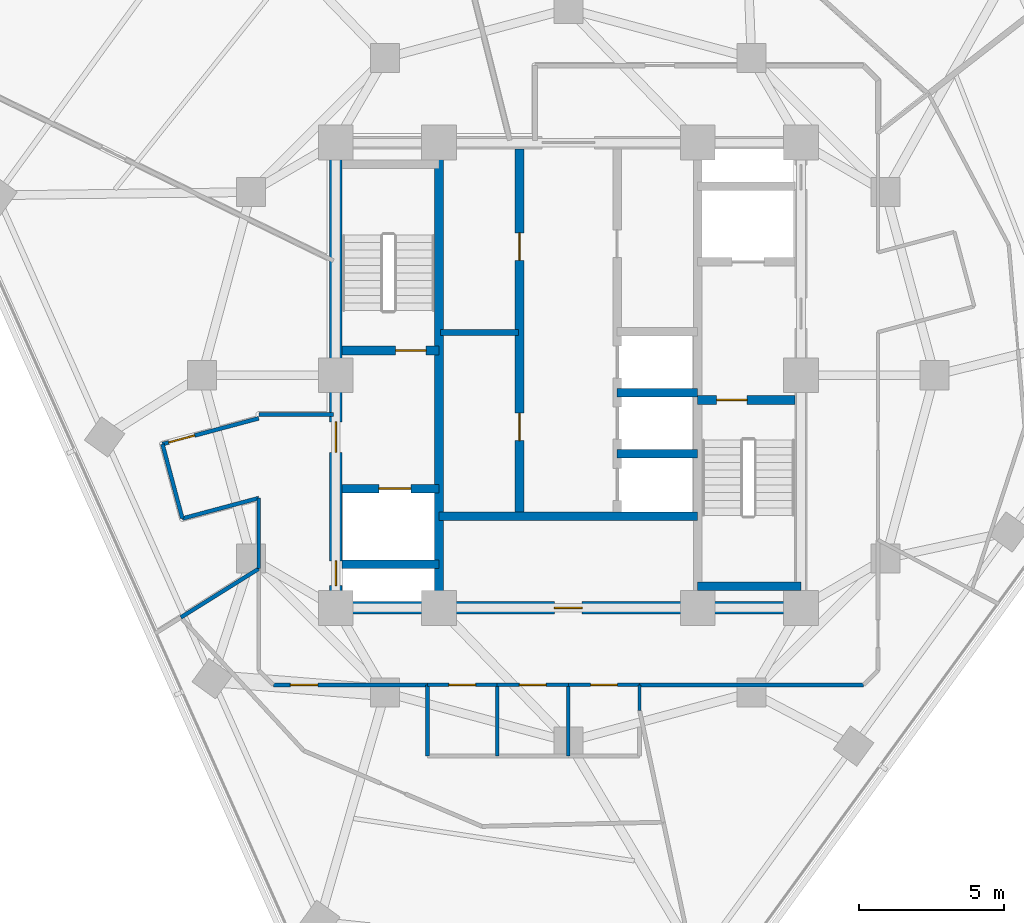
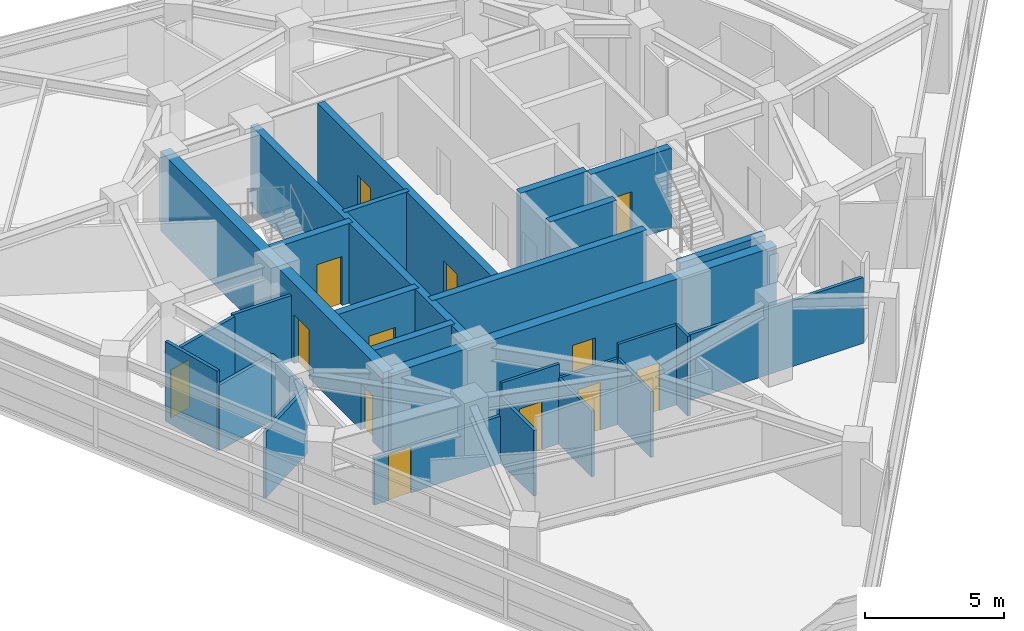
# One storey, part 8 of 14: 28 walls, 13 doors, 13 openings.
"""IFC4 building model written with IfcOpenShell, lengths in metres."""

import ifcopenshell
import ifcopenshell.guid

model = None  # the IFC model being written
_history = None  # IfcOwnerHistory: only IFC2X3 demands one
_inside = {}  # id of a spatial element -> (the spatial element, [elements in it])
_under = {}  # id of a project, library or spatial element -> (it, [spatial elements below it])
_declared = {}  # id of a project -> (the project, [libraries it declares])
_typed = {}  # id of a type object -> (the type object, [elements of that type])
_made_of = {}  # id of a material, layer set ... -> (it, [elements and type objects made of it])


def new_model(schema):
    """Start an empty IFC model of exactly this schema.

    Asked for "IFC4X3", IfcOpenShell would pick the latest addendum, in which some entities
    have other attributes; the version numbers below select the first issue.
    IFC2X3 requires an IfcOwnerHistory on every rooted entity: one is made here for all.
    """
    global model, _history
    if schema == "IFC4X3":
        model = ifcopenshell.file(schema_version=(4, 3, 0, 0))
    else:
        model = ifcopenshell.file(schema=schema)
    _inside.clear()
    _under.clear()
    _declared.clear()
    _typed.clear()
    _made_of.clear()
    _history = None
    if model.schema == "IFC2X3":
        org = make("IfcOrganization", Name="unknown")
        user = make(
            "IfcPersonAndOrganization",
            ThePerson=make("IfcPerson", FamilyName="unknown"),
            TheOrganization=org,
        )
        app = make(
            "IfcApplication",
            ApplicationDeveloper=org,
            Version="unknown",
            ApplicationFullName="unknown",
            ApplicationIdentifier="unknown",
        )
        _history = make(
            "IfcOwnerHistory",
            OwningUser=user,
            OwningApplication=app,
            ChangeAction="ADDED",
            CreationDate=0,
        )
    return model


def make(cls, **values):
    """One entity of the class cls with the attributes given. An attribute that is None is left unset."""
    return model.create_entity(
        cls, **{name: value for name, value in values.items() if value is not None}
    )


def rooted(cls, **values):
    """An entity with a GlobalId (a new one), such as an element, a storey or a relation."""
    return make(cls, GlobalId=ifcopenshell.guid.new(), OwnerHistory=_history, **values)


def si_unit(unit_type, name, prefix=None):
    """IfcSIUnit, for example si_unit("LENGTHUNIT", "METRE", prefix="MILLI")."""
    return make("IfcSIUnit", UnitType=unit_type, Prefix=prefix, Name=name)


def assignment(units):
    """IfcUnitAssignment: the units of a project."""
    return None if units is None else make("IfcUnitAssignment", Units=units)


def point(xyz):
    """IfcCartesianPoint."""
    return None if xyz is None else make("IfcCartesianPoint", Coordinates=xyz)


def direction(xyz):
    """IfcDirection."""
    return None if xyz is None else make("IfcDirection", DirectionRatios=xyz)


def frame(location, z_axis=None, x_axis=None):
    """IfcAxis2Placement3D, a coordinate frame: its origin and axes. An axis left out is left unset."""
    return make(
        "IfcAxis2Placement3D",
        Location=point(location),
        Axis=direction(z_axis),
        RefDirection=direction(x_axis),
    )


def frame_2d(location, x_axis=None):
    """IfcAxis2Placement2D, a coordinate frame in the plane: its origin and x axis."""
    return make(
        "IfcAxis2Placement2D", Location=point(location), RefDirection=direction(x_axis)
    )


def origin():
    """The frame at (0, 0, 0) with its axes left unset."""
    return frame((0.0, 0.0, 0.0))


def place(relative_to, where):
    """IfcLocalPlacement: puts the frame where relative to a parent placement (None: the world)."""
    return make(
        "IfcLocalPlacement", PlacementRelTo=relative_to, RelativePlacement=where
    )


def context(
    kind, dimensions, precision=None, world=None, true_north=None, identifier=None
):
    """IfcGeometricRepresentationContext, for example the 3D "Model" context."""
    return make(
        "IfcGeometricRepresentationContext",
        ContextIdentifier=identifier,
        ContextType=kind,
        CoordinateSpaceDimension=dimensions,
        Precision=precision,
        WorldCoordinateSystem=world,
        TrueNorth=true_north,
    )


def subcontext(parent, identifier, kind, view, scale=None):
    """IfcGeometricRepresentationSubContext, for example "Body" below "Model"."""
    return make(
        "IfcGeometricRepresentationSubContext",
        ContextIdentifier=identifier,
        ContextType=kind,
        ParentContext=parent,
        TargetScale=scale,
        TargetView=view,
    )


def project(units=None, contexts=None):
    """IfcProject with its units and contexts."""
    return rooted(
        "IfcProject",
        Name="project",
        RepresentationContexts=contexts,
        UnitsInContext=assignment(units),
    )


def spatial(cls, under=None, at=None, **own):
    """A site, building, storey or space (cls), placed at a placement, below another one or the project."""
    s = rooted(cls, ObjectPlacement=at, **own)
    if under is not None:
        _under.setdefault(under.id(), (under, []))[1].append(s)
    return s


def profile(cls, at=None, kind="AREA", **sizes):
    """A parametric profile (cls). Its sizes go by their IFC names, for example OverallWidth=200.0."""
    return make(cls, ProfileType=kind, Position=at, **sizes)


def rectangle(**sizes):
    """IfcRectangleProfileDef."""
    return profile("IfcRectangleProfileDef", **sizes)


def extrude(swept, where, along, depth):
    """IfcExtrudedAreaSolid: the profile swept, set in the frame where, extruded along a direction by depth."""
    return make(
        "IfcExtrudedAreaSolid",
        SweptArea=swept,
        Position=where,
        ExtrudedDirection=direction(along),
        Depth=depth,
    )


def shape(context_of_items, identifier, shape_type, items):
    """IfcShapeRepresentation: the items that make up one representation, for example the "Body"."""
    return make(
        "IfcShapeRepresentation",
        ContextOfItems=context_of_items,
        RepresentationIdentifier=identifier,
        RepresentationType=shape_type,
        Items=items,
    )


def material(Name=None, Category=None):
    """IfcMaterial."""
    return make("IfcMaterial", Name=Name, Category=Category)


def layer(
    of_material, thickness, ventilated=None, Name=None, Category=None, Priority=None
):
    """IfcMaterialLayer: one layer of a wall or slab, of a material (None: an air gap)."""
    return make(
        "IfcMaterialLayer",
        Material=of_material,
        LayerThickness=thickness,
        IsVentilated=ventilated,
        Name=Name,
        Category=Category,
        Priority=Priority,
    )


def layer_set(layers, Name=None):
    """IfcMaterialLayerSet."""
    return make("IfcMaterialLayerSet", MaterialLayers=layers, LayerSetName=Name)


def made_of(thing, what):
    """Note that an element or type object is made of a material, layer set ...; save() writes the relation."""
    if what is not None:
        _made_of.setdefault(what.id(), (what, []))[1].append(thing)
    return thing


def type_object(cls, material=None, **own):
    """A type object (cls), such as IfcWallType, which elements share."""
    return made_of(rooted(cls, **own), material)


def element(
    cls,
    number,
    at=None,
    inside=None,
    cuts=None,
    type_object=None,
    material=None,
    context=None,
    identifier="Body",
    shape_type=None,
    held_by="IfcProductDefinitionShape",
    body=None,
    shapes=None,
    **own,
):
    """One element of the class cls, such as IfcWall. Its Tag is "e" and its number.

    at: its placement. inside: the storey or other place that contains it. cuts: it is an
    opening in that element (IfcRelVoidsElement). A single representation is given by context,
    identifier, shape_type and body (its items); several are given by shapes. held_by: the class
    of the entity that holds the representations. save() writes the other relations.
    """
    e = rooted(cls, Tag="e%d" % number, ObjectPlacement=at, **own)
    if body is not None:
        shapes = [shape(context, identifier, shape_type, body)]
    if shapes is not None:
        e.Representation = make(held_by, Representations=shapes)
    if inside is not None:
        _inside.setdefault(inside.id(), (inside, []))[1].append(e)
    if cuts is not None:
        rooted(
            "IfcRelVoidsElement", RelatingBuildingElement=cuts, RelatedOpeningElement=e
        )
    if type_object is not None:
        _typed.setdefault(type_object.id(), (type_object, []))[1].append(e)
    return made_of(e, material)


def fill(opening, filler):
    """IfcRelFillsElement: the door or window that sits in an opening."""
    return rooted(
        "IfcRelFillsElement",
        RelatingOpeningElement=opening,
        RelatedBuildingElement=filler,
    )


def aggregate(whole, parts):
    """IfcRelAggregates: a whole, such as a stair, and the parts it consists of."""
    return rooted("IfcRelAggregates", RelatingObject=whole, RelatedObjects=parts)


def save(model, path):
    """Write the relations noted so far, then the file.

    IfcRelAggregates (storeys below a building ...), IfcRelContainedInSpatialStructure (elements
    in a storey), IfcRelDefinesByType, IfcRelAssociatesMaterial and IfcRelDeclares: one each for
    every whole, place, type object, material and project.
    """
    for whole, parts in _under.values():
        aggregate(whole, parts)
    for where, things in _inside.values():
        rooted(
            "IfcRelContainedInSpatialStructure",
            RelatedElements=things,
            RelatingStructure=where,
        )
    for kind, things in _typed.values():
        rooted("IfcRelDefinesByType", RelatedObjects=things, RelatingType=kind)
    for what, things in _made_of.values():
        rooted("IfcRelAssociatesMaterial", RelatedObjects=things, RelatingMaterial=what)
    for by, libraries in _declared.values():
        rooted("IfcRelDeclares", RelatingContext=by, RelatedDefinitions=libraries)
    model.write(path)


model = new_model("IFC4")

# Units and contexts
model_context = context("Model", 3, precision=1e-05, world=origin(), true_north=direction((0.0, 1.0)))
body_context = subcontext(model_context, "Body", "Model", "MODEL_VIEW")
ifc_project = project(units=[si_unit("LENGTHUNIT", "METRE"), si_unit("AREAUNIT", "SQUARE_METRE"), si_unit("VOLUMEUNIT", "CUBIC_METRE"), si_unit("PLANEANGLEUNIT", "RADIAN"), si_unit("MASSUNIT", "GRAM", prefix="KILO")], contexts=[model_context])

# Site, building, storey
site_placement = place(None, origin())
site = spatial("IfcSite", under=ifc_project, at=site_placement, CompositionType="ELEMENT")
building_placement = place(site_placement, origin())
building = spatial("IfcBuilding", under=site, at=building_placement, Name="Terralouvre Media Tower", CompositionType="ELEMENT")
storey_placement = place(building_placement, frame((0.0, 0.0, 222.60009765625)))
storey = spatial("IfcBuildingStorey", under=building, at=storey_placement, Name="L57", CompositionType="ELEMENT", Elevation=222.60009765625)

# Wall
ifc_material_1 = material(Name="Concrete C50/60", Category="concrete")
ifc_layer_1 = layer(ifc_material_1, 0.300048828125, Name="Core Internal Shaft Wall CW-300")
ifc_layer_set_1 = layer_set([ifc_layer_1], Name="Concrete C50/60")
wall_type_1 = type_object("IfcWallType", Name="Core Internal Shaft Wall CW-300", PredefinedType="SHEAR", material=ifc_layer_set_1)
wall_1_placement = place(storey_placement, frame((-4.449951171875, -7.7900390625, 0.0), z_axis=(0.0, 0.0, 1.0), x_axis=(0.0, 1.0, 0.0)))
element("IfcWall", 1, at=wall_1_placement, inside=storey, type_object=wall_type_1, Name="L57 Core Shaft Wall SPW", PredefinedType="SHEAR", context=body_context, shape_type="SweptSolid", body=[
    extrude(rectangle(XDim=15.580078125, YDim=0.300048828125, at=frame_2d((7.7900390625, 0.0))), origin(), (0.0, 0.0, 1.0), 3.5),
])

# Wall, opening, door
wall_2_placement = place(storey_placement, frame((-7.7900390625, 0.85009765625, 0.0), z_axis=(0.0, 0.0, 1.0), x_axis=(1.0, 0.0, 0.0)))
wall_2 = element("IfcWall", 2, at=wall_2_placement, inside=storey, type_object=wall_type_1, Name="L57 Core Shaft Wall ST1D", PredefinedType="SHEAR", context=body_context, shape_type="SweptSolid", body=[
    extrude(rectangle(XDim=3.340087890625, YDim=0.300048828125, at=frame_2d((1.669921875, 0.0))), origin(), (0.0, 0.0, 1.0), 3.5),
])
opening_1_placement = place(wall_2_placement, frame((1.85009765625, 0.0, 0.0)))
opening_1 = element("IfcOpeningElement", 3, at=opening_1_placement, cuts=wall_2, Name="Opening FD-01-105X215", PredefinedType="OPENING", context=body_context, shape_type="SweptSolid", body=[
    extrude(rectangle(XDim=1.050048828125, YDim=2.14990234375, at=frame_2d((0.52490234375, 1.074951171875))), frame((0.0, 0.159912109375, 0.0), z_axis=(0.0, -1.0, 0.0), x_axis=(1.0, 0.0, 0.0)), (0.0, 0.0, 1.0), 0.320068359375),
])
ifc_material_2 = material(Name="Galvanised steel fire-resisting leaf", Category="steel")
door_type_1 = type_object("IfcDoorType", Name="Stair and Firefighting Lobby Fire Door FD-01 (1050x2150)", OperationType="NOTDEFINED", PredefinedType="DOOR", material=ifc_material_2)
door_1_placement = place(opening_1_placement, origin())
door_1 = element("IfcDoor", 4, at=door_1_placement, inside=storey, type_object=door_type_1, Name="L57 ST-01 Exit Stair Door", OperationType="SINGLE_SWING_LEFT", OverallHeight=2.14990234375, OverallWidth=1.050048828125, PredefinedType="DOOR", context=body_context, shape_type="SweptSolid", body=[
    extrude(rectangle(XDim=1.050048828125, YDim=2.14990234375, at=frame_2d((0.52490234375, 1.074951171875))), frame((0.0, 0.02490234375, 0.0), z_axis=(0.0, -1.0, 0.0), x_axis=(1.0, 0.0, 0.0)), (0.0, 0.0, 1.0), 0.050048828125),
])
fill(opening_1, door_1)

wall_3_placement = place(storey_placement, frame((4.449951171875, -0.85009765625, 0.0), z_axis=(0.0, 0.0, 1.0), x_axis=(1.0, 0.0, 0.0)))
wall_3 = element("IfcWall", 5, at=wall_3_placement, inside=storey, type_object=wall_type_1, Name="L57 Core Shaft Wall ST2D", PredefinedType="SHEAR", context=body_context, shape_type="SweptSolid", body=[
    extrude(rectangle(XDim=3.340087890625, YDim=0.300048828125, at=frame_2d((1.669921875, 0.0))), origin(), (0.0, 0.0, 1.0), 3.5),
])
opening_2_placement = place(wall_3_placement, frame((0.64990234375, 0.0, 0.0)))
opening_2 = element("IfcOpeningElement", 6, at=opening_2_placement, cuts=wall_3, Name="Opening FD-01-105X215", PredefinedType="OPENING", context=body_context, shape_type="SweptSolid", body=[
    extrude(rectangle(XDim=1.050048828125, YDim=2.14990234375, at=frame_2d((0.52490234375, 1.074951171875))), frame((0.0, 0.159912109375, 0.0), z_axis=(0.0, -1.0, 0.0), x_axis=(1.0, 0.0, 0.0)), (0.0, 0.0, 1.0), 0.320068359375),
])
door_2_placement = place(opening_2_placement, origin())
door_2 = element("IfcDoor", 7, at=door_2_placement, inside=storey, type_object=door_type_1, Name="L57 ST-02 Exit Stair Door", OperationType="SINGLE_SWING_RIGHT", OverallHeight=2.14990234375, OverallWidth=1.050048828125, PredefinedType="DOOR", context=body_context, shape_type="SweptSolid", body=[
    extrude(rectangle(XDim=1.050048828125, YDim=2.14990234375, at=frame_2d((0.52490234375, 1.074951171875))), frame((0.0, 0.02490234375, 0.0), z_axis=(0.0, -1.0, 0.0), x_axis=(1.0, 0.0, 0.0)), (0.0, 0.0, 1.0), 0.050048828125),
])
fill(opening_2, door_2)

# Wall
wall_4_placement = place(storey_placement, frame((4.449951171875, -7.260009765625, 0.0), z_axis=(0.0, 0.0, 1.0), x_axis=(1.0, 0.0, 0.0)))
element("IfcWall", 8, at=wall_4_placement, inside=storey, type_object=wall_type_1, Name="L57 Core Shaft Wall ST2F", PredefinedType="SHEAR", context=body_context, shape_type="SweptSolid", body=[
    extrude(rectangle(XDim=3.550048828125, YDim=0.300048828125, at=frame_2d((1.77490234375, 0.0))), origin(), (0.0, 0.0, 1.0), 3.5),
])

# Wall, opening, door
wall_5_placement = place(storey_placement, frame((-7.7900390625, -3.89990234375, 0.0), z_axis=(0.0, 0.0, 1.0), x_axis=(1.0, 0.0, 0.0)))
wall_5 = element("IfcWall", 9, at=wall_5_placement, inside=storey, type_object=wall_type_1, Name="L57 Core Shaft Wall FF1N", PredefinedType="SHEAR", context=body_context, shape_type="SweptSolid", body=[
    extrude(rectangle(XDim=3.340087890625, YDim=0.300048828125, at=frame_2d((1.669921875, 0.0))), origin(), (0.0, 0.0, 1.0), 3.5),
])
opening_3_placement = place(wall_5_placement, frame((1.27001953125, 0.0, 0.0)))
opening_3 = element("IfcOpeningElement", 10, at=opening_3_placement, cuts=wall_5, Name="Opening LD-FF", PredefinedType="OPENING", context=body_context, shape_type="SweptSolid", body=[
    extrude(rectangle(XDim=1.10009765625, YDim=2.10009765625, at=frame_2d((0.550048828125, 1.050048828125))), frame((0.0, 0.159912109375, 0.0), z_axis=(0.0, -1.0, 0.0), x_axis=(1.0, 0.0, 0.0)), (0.0, 0.0, 1.0), 0.320068359375),
])
ifc_material_3 = material(Name="Stainless steel 316 handrail and balustrade", Category="steel")
door_type_2 = type_object("IfcDoorType", Name="Firefighting Lift Sliding Landing Door LD-FF", OperationType="SLIDING_TO_LEFT", PredefinedType="DOOR", material=ifc_material_3)
door_3_placement = place(opening_3_placement, origin())
door_3 = element("IfcDoor", 11, at=door_3_placement, inside=storey, type_object=door_type_2, Name="L57 Firefighting Lift FFL-01 Landing Door", OperationType="SLIDING_TO_LEFT", OverallHeight=2.10009765625, OverallWidth=1.10009765625, PredefinedType="DOOR", context=body_context, shape_type="SweptSolid", body=[
    extrude(rectangle(XDim=1.10009765625, YDim=2.10009765625, at=frame_2d((0.550048828125, 1.050048828125))), frame((0.0, 0.02490234375, 0.0), z_axis=(0.0, -1.0, 0.0), x_axis=(1.0, 0.0, 0.0)), (0.0, 0.0, 1.0), 0.050048828125),
])
fill(opening_3, door_3)

# Walls
wall_6_placement = place(storey_placement, frame((-7.7900390625, -6.5, 0.0), z_axis=(0.0, 0.0, 1.0), x_axis=(1.0, 0.0, 0.0)))
element("IfcWall", 12, at=wall_6_placement, inside=storey, type_object=wall_type_1, Name="L57 Core Shaft Wall FF1S", PredefinedType="SHEAR", context=body_context, shape_type="SweptSolid", body=[
    extrude(rectangle(XDim=3.340087890625, YDim=0.300048828125, at=frame_2d((1.669921875, 0.0))), origin(), (0.0, 0.0, 1.0), 3.5),
])
wall_7_placement = place(storey_placement, frame((-4.449951171875, -4.85009765625, 0.0), z_axis=(0.0, 0.0, 1.0), x_axis=(1.0, 0.0, 0.0)))
element("IfcWall", 13, at=wall_7_placement, inside=storey, type_object=wall_type_1, Name="L57 Core Shaft Wall CSBN", PredefinedType="SHEAR", context=body_context, shape_type="SweptSolid", body=[
    extrude(rectangle(XDim=8.89990234375, YDim=0.300048828125, at=frame_2d((4.449951171875, 0.0))), origin(), (0.0, 0.0, 1.0), 3.5),
])

# Wall, openings, doors
wall_8_placement = place(storey_placement, frame((-1.679931640625, -4.85009765625, 0.0), z_axis=(0.0, 0.0, 1.0), x_axis=(0.0, 1.0, 0.0)))
wall_8 = element("IfcWall", 14, at=wall_8_placement, inside=storey, type_object=wall_type_1, Name="L57 Core Shaft Wall LBW", PredefinedType="SHEAR", context=body_context, shape_type="SweptSolid", body=[
    extrude(rectangle(XDim=12.64013671875, YDim=0.300048828125, at=frame_2d((6.320068359375, 0.0))), origin(), (0.0, 0.0, 1.0), 3.5),
])
opening_4_placement = place(wall_8_placement, frame((2.60009765625, 0.0, 0.0)))
opening_4 = element("IfcOpeningElement", 15, at=opening_4_placement, cuts=wall_8, Name="Opening FD-02-95X210", PredefinedType="OPENING", context=body_context, shape_type="SweptSolid", body=[
    extrude(rectangle(XDim=0.949951171875, YDim=2.10009765625, at=frame_2d((0.47509765625, 1.050048828125))), frame((0.0, 0.159912109375, 0.0), z_axis=(0.0, -1.0, 0.0), x_axis=(1.0, 0.0, 0.0)), (0.0, 0.0, 1.0), 0.320068359375),
])
opening_5_placement = place(wall_8_placement, frame((8.800048828125, 0.0, 0.0)))
opening_5 = element("IfcOpeningElement", 16, at=opening_5_placement, cuts=wall_8, Name="Opening FD-04-95X210", PredefinedType="OPENING", context=body_context, shape_type="SweptSolid", body=[
    extrude(rectangle(XDim=0.949951171875, YDim=2.10009765625, at=frame_2d((0.47509765625, 1.050048828125))), frame((0.0, 0.159912109375, 0.0), z_axis=(0.0, -1.0, 0.0), x_axis=(1.0, 0.0, 0.0)), (0.0, 0.0, 1.0), 0.320068359375),
])
ifc_material_4 = material(Name="Galvanised steel fire-resisting leaf", Category="steel")
door_type_3 = type_object("IfcDoorType", Name="Core Store and Service Fire Door FD-04 (950x2100)", OperationType="NOTDEFINED", PredefinedType="DOOR", material=ifc_material_4)
door_4_placement = place(opening_5_placement, origin())
door_4 = element("IfcDoor", 17, at=door_4_placement, inside=storey, type_object=door_type_3, Name="L57 Core Linen Store Door", OperationType="SINGLE_SWING_RIGHT", OverallHeight=2.10009765625, OverallWidth=0.949951171875, PredefinedType="DOOR", context=body_context, shape_type="SweptSolid", body=[
    extrude(rectangle(XDim=0.949951171875, YDim=2.10009765625, at=frame_2d((0.47509765625, 1.050048828125))), frame((0.0, 0.02490234375, 0.0), z_axis=(0.0, -1.0, 0.0), x_axis=(1.0, 0.0, 0.0)), (0.0, 0.0, 1.0), 0.050048828125),
])
fill(opening_5, door_4)
ifc_material_5 = material(Name="Galvanised steel fire-resisting leaf", Category="steel")
door_type_4 = type_object("IfcDoorType", Name="Plant and Riser Fire Door FD-02 (950x2100)", OperationType="NOTDEFINED", PredefinedType="DOOR", material=ifc_material_5)
door_5_placement = place(opening_4_placement, origin())
door_5 = element("IfcDoor", 18, at=door_5_placement, inside=storey, type_object=door_type_4, Name="L57 Core Fibre Patch Plant Door", OperationType="SINGLE_SWING_LEFT", OverallHeight=2.10009765625, OverallWidth=0.949951171875, PredefinedType="DOOR", context=body_context, shape_type="SweptSolid", body=[
    extrude(rectangle(XDim=0.949951171875, YDim=2.10009765625, at=frame_2d((0.47509765625, 1.050048828125))), frame((0.0, 0.02490234375, 0.0), z_axis=(0.0, -1.0, 0.0), x_axis=(1.0, 0.0, 0.0)), (0.0, 0.0, 1.0), 0.050048828125),
])
fill(opening_4, door_5)

# Walls
for number, where, z_axis, x_axis, name in (
    (19, (1.679931640625, -2.699951171875, 0.0), (0.0, 0.0, 1.0), (1.0, 0.0, 0.0), "L57 Core Shaft Wall PLHD1"),
    (20, (1.679931640625, -0.60009765625, 0.0), (0.0, 0.0, 1.0), (1.0, 0.0, 0.0), "L57 Core Shaft Wall PLHD2"),
):
    element("IfcWall", number, at=place(storey_placement, frame(where, z_axis=z_axis, x_axis=x_axis)), inside=storey, type_object=wall_type_1, Name=name, PredefinedType="SHEAR", context=body_context, shape_type="SweptSolid", body=[
        extrude(rectangle(XDim=2.77001953125, YDim=0.300048828125, at=frame_2d((1.385009765625, 0.0))), origin(), (0.0, 0.0, 1.0), 3.5),
    ])

# Wall, openings, doors
ifc_material_6 = material(Name="Concrete C60/75", Category="concrete")
ifc_layer_2 = layer(ifc_material_6, 0.419921875, Name="Core Reinforced Concrete Shear Wall CW-420")
ifc_layer_set_2 = layer_set([ifc_layer_2], Name="Concrete C60/75")
wall_type_2 = type_object("IfcWallType", Name="Core Reinforced Concrete Shear Wall CW-420", PredefinedType="SHEAR", material=ifc_layer_set_2)
wall_9_placement = place(storey_placement, frame((-8.0, -8.0, 0.0), z_axis=(0.0, 0.0, 1.0), x_axis=(0.0, 1.0, 0.0)))
wall_9 = element("IfcWall", 21, at=wall_9_placement, inside=storey, type_object=wall_type_2, Name="L57 W Core Shear Wall", PredefinedType="SHEAR", context=body_context, shape_type="SweptSolid", body=[
    extrude(rectangle(XDim=16.0, YDim=0.419921875, at=frame_2d((8.0, 0.0))), origin(), (0.0, 0.0, 1.0), 3.5),
])
opening_6_placement = place(wall_9_placement, frame((0.76123046875, 0.0, 0.0)))
opening_6 = element("IfcOpeningElement", 22, at=opening_6_placement, cuts=wall_9, Name="Opening TD-R1", PredefinedType="OPENING", context=body_context, shape_type="SweptSolid", body=[
    extrude(rectangle(XDim=0.85009765625, YDim=2.02001953125, at=frame_2d((0.425048828125, 1.010009765625))), frame((0.0, 0.219970703125, 0.0), z_axis=(0.0, -1.0, 0.0), x_axis=(1.0, 0.0, 0.0)), (0.0, 0.0, 1.0), 0.43994140625),
])
opening_7_placement = place(wall_9_placement, frame((5.35009765625, 0.0, 0.0)))
opening_7 = element("IfcOpeningElement", 23, at=opening_7_placement, cuts=wall_9, Name="Opening FD-01-105X215", PredefinedType="OPENING", context=body_context, shape_type="SweptSolid", body=[
    extrude(rectangle(XDim=1.050048828125, YDim=2.14990234375, at=frame_2d((0.52490234375, 1.074951171875))), frame((0.0, 0.219970703125, 0.0), z_axis=(0.0, -1.0, 0.0), x_axis=(1.0, 0.0, 0.0)), (0.0, 0.0, 1.0), 0.43994140625),
])
ifc_material_7 = material(Name="Galvanised steel fire-resisting leaf", Category="steel")
door_type_5 = type_object("IfcDoorType", Name="Riser Inspection Access Trapdoor TD-R1", OperationType="NOTDEFINED", PredefinedType="TRAPDOOR", material=ifc_material_7)
door_6_placement = place(opening_6_placement, origin())
door_6 = element("IfcDoor", 24, at=door_6_placement, inside=storey, type_object=door_type_5, Name="L57 Wet Riser Access Trapdoor", OperationType="SINGLE_SWING_LEFT", OverallHeight=2.02001953125, OverallWidth=0.85009765625, PredefinedType="TRAPDOOR", context=body_context, shape_type="SweptSolid", body=[
    extrude(rectangle(XDim=0.85009765625, YDim=2.02001953125, at=frame_2d((0.425048828125, 1.010009765625))), frame((0.0, 0.02490234375, 0.0), z_axis=(0.0, -1.0, 0.0), x_axis=(1.0, 0.0, 0.0)), (0.0, 0.0, 1.0), 0.050048828125),
])
fill(opening_6, door_6)
door_7_placement = place(opening_7_placement, origin())
door_7 = element("IfcDoor", 25, at=door_7_placement, inside=storey, type_object=door_type_1, Name="L57 West Firefighting Lobby Entry Door", OperationType="SINGLE_SWING_RIGHT", OverallHeight=2.14990234375, OverallWidth=1.050048828125, PredefinedType="DOOR", context=body_context, shape_type="SweptSolid", body=[
    extrude(rectangle(XDim=1.050048828125, YDim=2.14990234375, at=frame_2d((0.52490234375, 1.074951171875))), frame((0.0, 0.02490234375, 0.0), z_axis=(0.0, -1.0, 0.0), x_axis=(1.0, 0.0, 0.0)), (0.0, 0.0, 1.0), 0.050048828125),
])
fill(opening_7, door_7)

# Wall, opening, door
wall_10_placement = place(storey_placement, frame((-8.0, -8.0, 0.0), z_axis=(0.0, 0.0, 1.0), x_axis=(1.0, 0.0, 0.0)))
wall_10 = element("IfcWall", 26, at=wall_10_placement, inside=storey, type_object=wall_type_2, Name="L57 S Core Shear Wall", PredefinedType="SHEAR", context=body_context, shape_type="SweptSolid", body=[
    extrude(rectangle(XDim=16.0, YDim=0.419921875, at=frame_2d((8.0, 0.0))), origin(), (0.0, 0.0, 1.0), 3.5),
])
opening_8_placement = place(wall_10_placement, frame((7.52001953125, 0.0, 0.0)))
opening_8 = element("IfcOpeningElement", 27, at=opening_8_placement, cuts=wall_10, Name="Opening FD-02-95X210", PredefinedType="OPENING", context=body_context, shape_type="SweptSolid", body=[
    extrude(rectangle(XDim=0.949951171875, YDim=2.10009765625, at=frame_2d((0.47509765625, 1.050048828125))), frame((0.0, 0.219970703125, 0.0), z_axis=(0.0, -1.0, 0.0), x_axis=(1.0, 0.0, 0.0)), (0.0, 0.0, 1.0), 0.43994140625),
])
door_8_placement = place(opening_8_placement, origin())
door_8 = element("IfcDoor", 28, at=door_8_placement, inside=storey, type_object=door_type_4, Name="L57 Core Switchgear Plant Door", OperationType="SINGLE_SWING_LEFT", OverallHeight=2.10009765625, OverallWidth=0.949951171875, PredefinedType="DOOR", context=body_context, shape_type="SweptSolid", body=[
    extrude(rectangle(XDim=0.949951171875, YDim=2.10009765625, at=frame_2d((0.47509765625, 1.050048828125))), frame((0.0, 0.02490234375, 0.0), z_axis=(0.0, -1.0, 0.0), x_axis=(1.0, 0.0, 0.0)), (0.0, 0.0, 1.0), 0.050048828125),
])
fill(opening_8, door_8)

# Walls
ifc_material_8 = material(Name="Fire-rated gypsum board drywall partition")
ifc_layer_3 = layer(ifc_material_8, 0.199951171875, Name="Fire-Rated Shaft and Lobby Partition FW-200")
ifc_layer_set_3 = layer_set([ifc_layer_3], Name="Fire-rated gypsum board drywall partition")
wall_type_3 = type_object("IfcWallType", Name="Fire-Rated Shaft and Lobby Partition FW-200", PredefinedType="SOLIDWALL", material=ifc_layer_set_3)
wall_11_placement = place(storey_placement, frame((-4.39990234375, 1.469970703125, 0.0), z_axis=(0.0, 0.0, 1.0), x_axis=(1.0, 0.0, 0.0)))
element("IfcWall", 29, at=wall_11_placement, inside=storey, type_object=wall_type_3, Name="L57 Core West Sub-Partition 1", PredefinedType="SOLIDWALL", context=body_context, shape_type="SweptSolid", body=[
    extrude(rectangle(XDim=2.679931640625, YDim=0.199951171875, at=frame_2d((1.33984375, 0.0))), origin(), (0.0, 0.0, 1.0), 3.5),
])
ifc_material_9 = material(Name="Fire-rated gypsum board drywall partition")
ifc_layer_4 = layer(ifc_material_9, 0.135009765625, Name="Newsroom Acoustic Partition PT-135")
ifc_layer_set_4 = layer_set([ifc_layer_4], Name="Fire-rated gypsum board drywall partition")
wall_type_4 = type_object("IfcWallType", Name="Newsroom Acoustic Partition PT-135", PredefinedType="PARTITIONING", material=ifc_layer_set_4)
wall_12_placement = place(storey_placement, frame((-8.080078125, -1.35009765625, 0.0), z_axis=(0.0, 0.0, 1.0), x_axis=(-1.0, 0.0, 0.0)))
element("IfcWall", 30, at=wall_12_placement, inside=storey, type_object=wall_type_4, Name="L57 Interior Partition 001", PredefinedType="PARTITIONING", context=body_context, shape_type="SweptSolid", body=[
    extrude(rectangle(XDim=2.56982421875, YDim=0.135009765625, at=frame_2d((1.284912109375, 0.0))), origin(), (0.0, 0.0, 1.0), 2.885009765625),
])

# Wall, opening, door
wall_13_placement = place(storey_placement, frame((-10.64990234375, -1.48193359375, 0.0), z_axis=(0.0, 0.0, 1.0), x_axis=(-0.965961397105, -0.2586862565, 0.0)))
wall_13 = element("IfcWall", 31, at=wall_13_placement, inside=storey, type_object=wall_type_4, Name="L57 Interior Partition 002", PredefinedType="PARTITIONING", context=body_context, shape_type="SweptSolid", body=[
    extrude(rectangle(XDim=3.4287109375, YDim=0.135009765625, at=frame_2d((1.71435546875, 0.0))), origin(), (0.0, 0.0, 1.0), 2.885009765625),
])
opening_9_placement = place(wall_13_placement, frame((2.282958984375, 0.0, 0.0)))
opening_9 = element("IfcOpeningElement", 32, at=opening_9_placement, cuts=wall_13, Name="Opening ID-03-92X210", PredefinedType="OPENING", context=body_context, shape_type="SweptSolid", body=[
    extrude(rectangle(XDim=0.919921875, YDim=2.10009765625, at=frame_2d((0.4599609375, 1.050048828125))), frame((0.0, 0.077392578125, 0.0), z_axis=(0.0, -1.0, 0.0), x_axis=(1.0, 0.0, 0.0)), (0.0, 0.0, 1.0), 0.155029296875),
])
ifc_material_10 = material(Name="Engineered hardwood acoustic timber leaf", Category="wood")
door_type_6 = type_object("IfcDoorType", Name="Accessible Restroom and Suite Door ID-03 (920x2100)", OperationType="NOTDEFINED", PredefinedType="DOOR", material=ifc_material_10)
door_9_placement = place(opening_9_placement, origin())
door_9 = element("IfcDoor", 33, at=door_9_placement, inside=storey, type_object=door_type_6, Name="L57 Executive Dining Room 1 Door", OperationType="SINGLE_SWING_RIGHT", OverallHeight=2.10009765625, OverallWidth=0.919921875, PredefinedType="DOOR", context=body_context, shape_type="SweptSolid", body=[
    extrude(rectangle(XDim=0.919921875, YDim=2.10009765625, at=frame_2d((0.4599609375, 1.050048828125))), frame((0.0, 0.02490234375, 0.0), z_axis=(0.0, -1.0, 0.0), x_axis=(1.0, 0.0, 0.0)), (0.0, 0.0, 1.0), 0.050048828125),
])
fill(opening_9, door_9)

# Walls
wall_14_placement = place(storey_placement, frame((-13.9619140625, -2.368896484375, 0.0), z_axis=(0.0, 0.0, 1.0), x_axis=(0.258413725385, -0.966034340245, 0.0)))
element("IfcWall", 34, at=wall_14_placement, inside=storey, type_object=wall_type_4, Name="L57 Interior Partition 003", PredefinedType="PARTITIONING", context=body_context, shape_type="SweptSolid", body=[
    extrude(rectangle(XDim=2.650146484375, YDim=0.135009765625, at=frame_2d((1.3251953125, 0.0))), origin(), (0.0, 0.0, 1.0), 3.5),
])
wall_15_placement = place(storey_placement, frame((-13.277099609375, -4.928955078125, 0.0), z_axis=(0.0, 0.0, 1.0), x_axis=(0.965934830229, 0.258785439601, 0.0)))
element("IfcWall", 35, at=wall_15_placement, inside=storey, type_object=wall_type_4, Name="L57 Interior Partition 004", PredefinedType="PARTITIONING", context=body_context, shape_type="SweptSolid", body=[
    extrude(rectangle(XDim=2.719970703125, YDim=0.135009765625, at=frame_2d((1.35986328125, 0.0))), origin(), (0.0, 0.0, 1.0), 2.885009765625),
])
wall_16_placement = place(storey_placement, frame((-10.64990234375, -4.22509765625, 0.0), z_axis=(0.0, 0.0, 1.0), x_axis=(0.0, -1.0, 0.0)))
element("IfcWall", 36, at=wall_16_placement, inside=storey, type_object=wall_type_4, Name="L57 Interior Partition 005", PredefinedType="PARTITIONING", context=body_context, shape_type="SweptSolid", body=[
    extrude(rectangle(XDim=2.429931640625, YDim=0.135009765625, at=frame_2d((1.21484375, 0.0))), origin(), (0.0, 0.0, 1.0), 2.885009765625),
])

# Wall, opening, door
wall_17_placement = place(storey_placement, frame((-10.14990234375, -10.64990234375, 0.0), z_axis=(0.0, 0.0, 1.0), x_axis=(1.0, 0.0, 0.0)))
wall_17 = element("IfcWall", 37, at=wall_17_placement, inside=storey, type_object=wall_type_4, Name="L57 Interior Partition 013", PredefinedType="PARTITIONING", context=body_context, shape_type="SweptSolid", body=[
    extrude(rectangle(XDim=5.2998046875, YDim=0.135009765625, at=frame_2d((2.64990234375, 0.0))), origin(), (0.0, 0.0, 1.0), 2.074951171875),
])
opening_10_placement = place(wall_17_placement, frame((0.5849609375, 0.0, 0.0)))
opening_10 = element("IfcOpeningElement", 38, at=opening_10_placement, cuts=wall_17, Name="Opening ID-02-95X205", PredefinedType="OPENING", context=body_context, shape_type="SweptSolid", body=[
    extrude(rectangle(XDim=0.949951171875, YDim=2.02490234375, at=frame_2d((0.47509765625, 1.012451171875))), frame((0.0, 0.077392578125, 0.0), z_axis=(0.0, -1.0, 0.0), x_axis=(1.0, 0.0, 0.0)), (0.0, 0.0, 1.0), 0.155029296875),
])
ifc_material_11 = material(Name="Engineered hardwood acoustic timber leaf", Category="wood")
door_type_7 = type_object("IfcDoorType", Name="Office and Meeting Room Door ID-02 (950x2055)", OperationType="NOTDEFINED", PredefinedType="DOOR", material=ifc_material_11)
door_10_placement = place(opening_10_placement, origin())
door_10 = element("IfcDoor", 39, at=door_10_placement, inside=storey, type_object=door_type_7, Name="L57 Sealed Legal Archive Storage 3 Door", OperationType="SINGLE_SWING_RIGHT", OverallHeight=2.02490234375, OverallWidth=0.949951171875, PredefinedType="DOOR", context=body_context, shape_type="SweptSolid", body=[
    extrude(rectangle(XDim=0.949951171875, YDim=2.02490234375, at=frame_2d((0.47509765625, 1.012451171875))), frame((0.0, 0.02490234375, 0.0), z_axis=(0.0, -1.0, 0.0), x_axis=(1.0, 0.0, 0.0)), (0.0, 0.0, 1.0), 0.050048828125),
])
fill(opening_10, door_10)

# Walls
wall_18_placement = place(storey_placement, frame((2.449951171875, -10.64990234375, 0.0), z_axis=(0.0, 0.0, 1.0), x_axis=(1.0, 0.0, 0.0)))
element("IfcWall", 40, at=wall_18_placement, inside=storey, type_object=wall_type_4, Name="L57 Interior Partition 017", PredefinedType="PARTITIONING", context=body_context, shape_type="SweptSolid", body=[
    extrude(rectangle(XDim=7.699951171875, YDim=0.135009765625, at=frame_2d((3.85009765625, 0.0))), origin(), (0.0, 0.0, 1.0), 2.885009765625),
])
wall_19_placement = place(storey_placement, frame((-13.3291015625, -8.3291015625, 0.0), z_axis=(0.0, 0.0, 1.0), x_axis=(0.848059079617, 0.529901686617, 0.0)))
element("IfcWall", 41, at=wall_19_placement, inside=storey, type_object=wall_type_4, Name="L57 Interior Partition 024", PredefinedType="PARTITIONING", context=body_context, shape_type="SweptSolid", body=[
    extrude(rectangle(XDim=3.1591796875, YDim=0.135009765625, at=frame_2d((1.57958984375, 0.0))), origin(), (0.0, 0.0, 1.0), 2.885009765625),
])
wall_20_placement = place(storey_placement, frame((-4.85009765625, -13.10009765625, 0.0), z_axis=(0.0, 0.0, 1.0), x_axis=(0.0, 1.0, 0.0)))
element("IfcWall", 42, at=wall_20_placement, inside=storey, type_object=wall_type_4, Name="L57 Interior Partition 033", PredefinedType="PARTITIONING", context=body_context, shape_type="SweptSolid", body=[
    extrude(rectangle(XDim=2.4501953125, YDim=0.135009765625, at=frame_2d((1.22509765625, 0.0))), origin(), (0.0, 0.0, 1.0), 2.885009765625),
])

# Wall, opening, door
ifc_material_12 = material(Name="Fire-rated gypsum board drywall partition")
ifc_layer_5 = layer(ifc_material_12, 0.114990234375, Name="Restroom and Pantry Partition PT-115")
ifc_layer_set_5 = layer_set([ifc_layer_5], Name="Fire-rated gypsum board drywall partition")
wall_type_5 = type_object("IfcWallType", Name="Restroom and Pantry Partition PT-115", PredefinedType="PARTITIONING", material=ifc_layer_set_5)
wall_21_placement = place(storey_placement, frame((-4.85009765625, -10.64990234375, 0.0), z_axis=(0.0, 0.0, 1.0), x_axis=(1.0, 0.0, 0.0)))
wall_21 = element("IfcWall", 43, at=wall_21_placement, inside=storey, type_object=wall_type_5, Name="L57 Interior Partition 014", PredefinedType="PARTITIONING", context=body_context, shape_type="SweptSolid", body=[
    extrude(rectangle(XDim=2.400146484375, YDim=0.114990234375, at=frame_2d((1.2001953125, 0.0))), origin(), (0.0, 0.0, 1.0), 3.5),
])
opening_11_placement = place(wall_21_placement, frame((0.739990234375, 0.0, 0.0)))
opening_11 = element("IfcOpeningElement", 44, at=opening_11_placement, cuts=wall_21, Name="Opening ID-03-92X210", PredefinedType="OPENING", context=body_context, shape_type="SweptSolid", body=[
    extrude(rectangle(XDim=0.919921875, YDim=2.10009765625, at=frame_2d((0.4599609375, 1.050048828125))), frame((0.0, 0.0673828125, 0.0), z_axis=(0.0, -1.0, 0.0), x_axis=(1.0, 0.0, 0.0)), (0.0, 0.0, 1.0), 0.135009765625),
])
door_11_placement = place(opening_11_placement, origin())
door_11 = element("IfcDoor", 45, at=door_11_placement, inside=storey, type_object=door_type_6, Name="L57 Male Restroom WC Door", OperationType="SINGLE_SWING_LEFT", OverallHeight=2.10009765625, OverallWidth=0.919921875, PredefinedType="DOOR", context=body_context, shape_type="SweptSolid", body=[
    extrude(rectangle(XDim=0.919921875, YDim=2.10009765625, at=frame_2d((0.4599609375, 1.050048828125))), frame((0.0, 0.02490234375, 0.0), z_axis=(0.0, -1.0, 0.0), x_axis=(1.0, 0.0, 0.0)), (0.0, 0.0, 1.0), 0.050048828125),
])
fill(opening_11, door_11)

wall_22_placement = place(storey_placement, frame((-2.449951171875, -10.64990234375, 0.0), z_axis=(0.0, 0.0, 1.0), x_axis=(1.0, 0.0, 0.0)))
wall_22 = element("IfcWall", 46, at=wall_22_placement, inside=storey, type_object=wall_type_5, Name="L57 Interior Partition 015", PredefinedType="PARTITIONING", context=body_context, shape_type="SweptSolid", body=[
    extrude(rectangle(XDim=2.449951171875, YDim=0.114990234375, at=frame_2d((1.22509765625, 0.0))), origin(), (0.0, 0.0, 1.0), 2.885009765625),
])
opening_12_placement = place(wall_22_placement, frame((0.764892578125, 0.0, 0.0)))
opening_12 = element("IfcOpeningElement", 47, at=opening_12_placement, cuts=wall_22, Name="Opening ID-03-92X210", PredefinedType="OPENING", context=body_context, shape_type="SweptSolid", body=[
    extrude(rectangle(XDim=0.919921875, YDim=2.10009765625, at=frame_2d((0.4599609375, 1.050048828125))), frame((0.0, 0.0673828125, 0.0), z_axis=(0.0, -1.0, 0.0), x_axis=(1.0, 0.0, 0.0)), (0.0, 0.0, 1.0), 0.135009765625),
])
door_12_placement = place(opening_12_placement, origin())
door_12 = element("IfcDoor", 48, at=door_12_placement, inside=storey, type_object=door_type_6, Name="L57 Female Restroom WC Door", OperationType="SINGLE_SWING_RIGHT", OverallHeight=2.10009765625, OverallWidth=0.919921875, PredefinedType="DOOR", context=body_context, shape_type="SweptSolid", body=[
    extrude(rectangle(XDim=0.919921875, YDim=2.10009765625, at=frame_2d((0.4599609375, 1.050048828125))), frame((0.0, 0.02490234375, 0.0), z_axis=(0.0, -1.0, 0.0), x_axis=(1.0, 0.0, 0.0)), (0.0, 0.0, 1.0), 0.050048828125),
])
fill(opening_12, door_12)

wall_23_placement = place(storey_placement, frame((0.0, -10.64990234375, 0.0), z_axis=(0.0, 0.0, 1.0), x_axis=(1.0, 0.0, 0.0)))
wall_23 = element("IfcWall", 49, at=wall_23_placement, inside=storey, type_object=wall_type_5, Name="L57 Interior Partition 016", PredefinedType="PARTITIONING", context=body_context, shape_type="SweptSolid", body=[
    extrude(rectangle(XDim=2.449951171875, YDim=0.114990234375, at=frame_2d((1.22509765625, 0.0))), origin(), (0.0, 0.0, 1.0), 3.5),
])
opening_13_placement = place(wall_23_placement, frame((0.764892578125, 0.0, 0.0)))
opening_13 = element("IfcOpeningElement", 50, at=opening_13_placement, cuts=wall_23, Name="Opening ID-03-92X210", PredefinedType="OPENING", context=body_context, shape_type="SweptSolid", body=[
    extrude(rectangle(XDim=0.919921875, YDim=2.10009765625, at=frame_2d((0.4599609375, 1.050048828125))), frame((0.0, 0.0673828125, 0.0), z_axis=(0.0, -1.0, 0.0), x_axis=(1.0, 0.0, 0.0)), (0.0, 0.0, 1.0), 0.135009765625),
])
door_13_placement = place(opening_13_placement, origin())
door_13 = element("IfcDoor", 51, at=door_13_placement, inside=storey, type_object=door_type_6, Name="L57 Accessible Unisex WC Door", OperationType="SINGLE_SWING_LEFT", OverallHeight=2.10009765625, OverallWidth=0.919921875, PredefinedType="DOOR", context=body_context, shape_type="SweptSolid", body=[
    extrude(rectangle(XDim=0.919921875, YDim=2.10009765625, at=frame_2d((0.4599609375, 1.050048828125))), frame((0.0, 0.02490234375, 0.0), z_axis=(0.0, -1.0, 0.0), x_axis=(1.0, 0.0, 0.0)), (0.0, 0.0, 1.0), 0.050048828125),
])
fill(opening_13, door_13)

# Walls
for number, where, z_axis, x_axis, name in (
    (52, (-2.449951171875, -13.10009765625, 0.0), (0.0, 0.0, 1.0), (0.0, 1.0, 0.0), "L57 Interior Partition 041"),
    (53, (0.0, -13.10009765625, 0.0), (0.0, 0.0, 1.0), (0.0, 1.0, 0.0), "L57 Interior Partition 043"),
):
    element("IfcWall", number, at=place(storey_placement, frame(where, z_axis=z_axis, x_axis=x_axis)), inside=storey, type_object=wall_type_5, Name=name, PredefinedType="PARTITIONING", context=body_context, shape_type="SweptSolid", body=[
        extrude(rectangle(XDim=2.4501953125, YDim=0.114990234375, at=frame_2d((1.22509765625, 0.0))), origin(), (0.0, 0.0, 1.0), 2.885009765625),
    ])
wall_24_placement = place(storey_placement, frame((2.449951171875, -11.52587890625, 0.0), z_axis=(0.0, 0.0, 1.0), x_axis=(0.0, 1.0, 0.0)))
element("IfcWall", 54, at=wall_24_placement, inside=storey, type_object=wall_type_5, Name="L57 Interior Partition 044", PredefinedType="PARTITIONING", context=body_context, shape_type="SweptSolid", body=[
    extrude(rectangle(XDim=0.8759765625, YDim=0.114990234375, at=frame_2d((0.43798828125, 0.0))), origin(), (0.0, 0.0, 1.0), 3.5),
])

save(model, "model.ifc")
